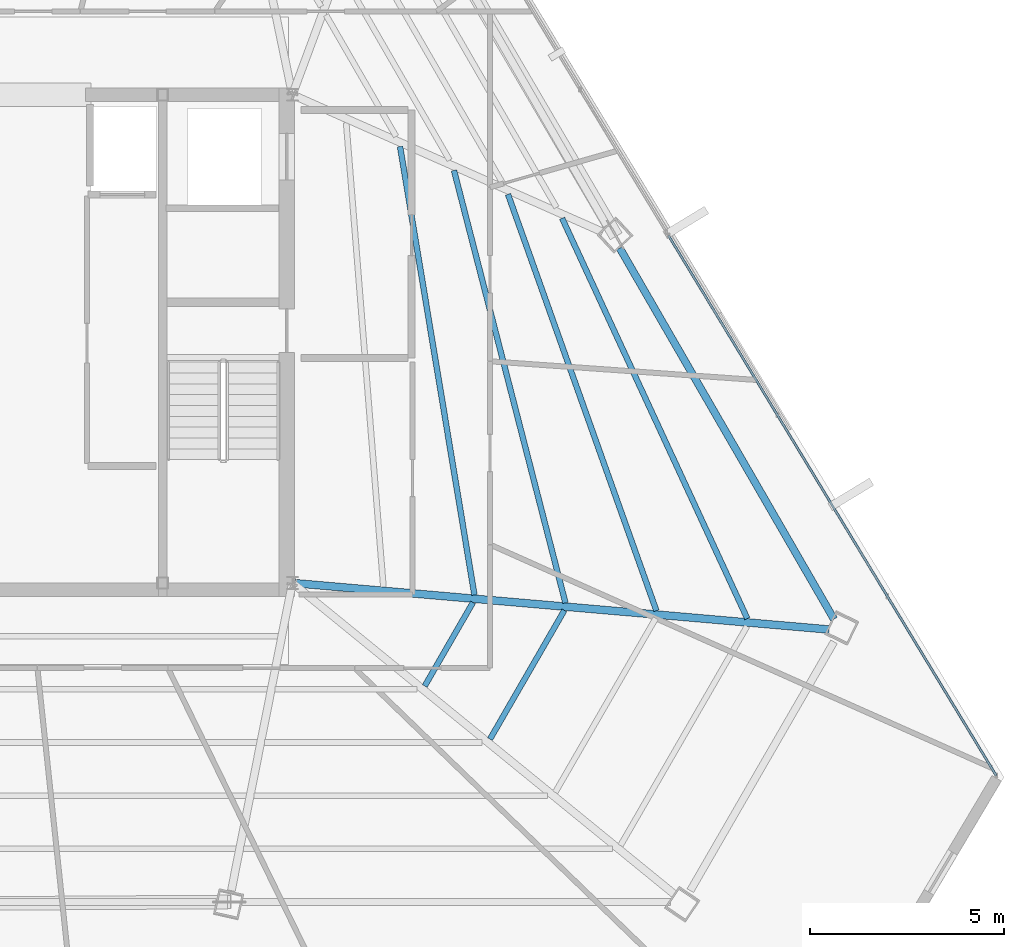
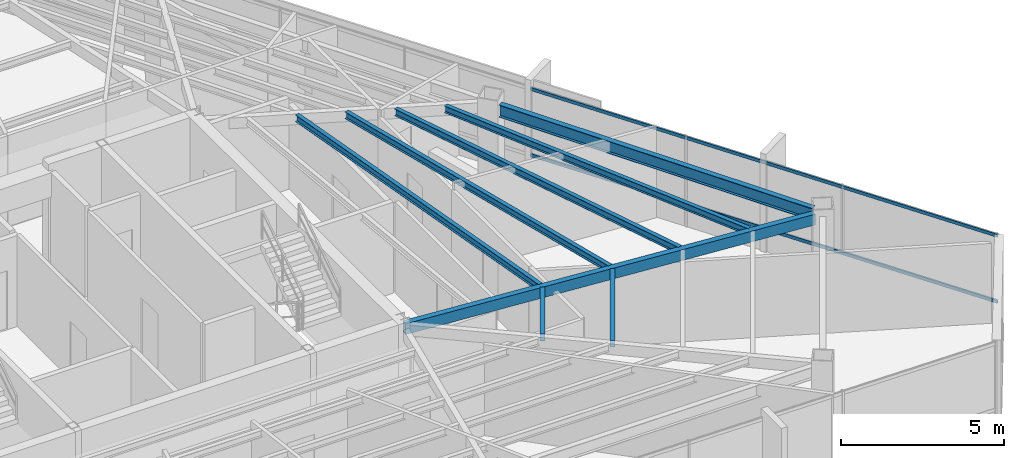
# One storey, part 22 of 42: 8 beams, 2 members, 1 element without a shape of its own.
"""IFC4 building model written with IfcOpenShell, lengths in metres."""

from ifc_helpers import new_model, si_unit, direction, frame, origin, origin_2d, place, context, subcontext, project, spatial, hollow_rectangle, i_section, extrude, source, transform, mapped, material, material_profile, profile_set, type_object, type_shapes, element, aggregate, save


model = new_model("IFC4")

# Units and contexts
model_context = context("Model", 3, precision=1e-05, world=origin(), true_north=direction((0.0, 1.0)))
body_context = subcontext(model_context, "Body", "Model", "MODEL_VIEW")
ifc_project = project(units=[si_unit("LENGTHUNIT", "METRE"), si_unit("AREAUNIT", "SQUARE_METRE"), si_unit("VOLUMEUNIT", "CUBIC_METRE"), si_unit("PLANEANGLEUNIT", "RADIAN"), si_unit("MASSUNIT", "GRAM", prefix="KILO")], contexts=[model_context])

# Site, building, storey
site_placement = place(None, origin())
site = spatial("IfcSite", under=ifc_project, at=site_placement, CompositionType="ELEMENT")
building_placement = place(site_placement, origin())
building = spatial("IfcBuilding", under=site, at=building_placement, Name="Caelisora Broadcast Tower", CompositionType="ELEMENT")
storey_placement = place(building_placement, frame((0.0, 0.0, 244.449951171875)))
storey = spatial("IfcBuildingStorey", under=building, at=storey_placement, Name="L64", CompositionType="ELEMENT", Elevation=244.449951171875)

# Beams
ifc_material_1 = material(Name="Steel Grade 350 (AS/NZS 3679.1)", Category="steel")
ifc_material_profile_1 = material_profile(ifc_material_1, i_section(OverallWidth=0.19091796875, OverallDepth=0.46044921875, WebThickness=0.010009765625, FlangeThickness=0.01611328125, at=origin_2d()), Name="Steel Grade 350 (AS/NZS 3679.1)")
ifc_profile_set_1 = profile_set([ifc_material_profile_1], Name="Steel Grade 350 (AS/NZS 3679.1)")
beam_type_1 = type_object("IfcBeamType", Name="PG06", PredefinedType="BEAM", material=ifc_profile_set_1)
shared_shape_1 = source(origin(), body_context, "Body", "SweptSolid", [
    extrude(i_section(OverallWidth=0.19091796875, OverallDepth=0.46044921875, WebThickness=0.010009765625, FlangeThickness=0.01611328125, at=origin_2d()), origin(), (0.0, 0.0, 1.0), 11.05859375),
])
type_shapes(beam_type_1, [shared_shape_1])
beam_1_placement = place(storey_placement, frame((59.477294921875, 16.465087890625, 3.169921875), z_axis=(-0.499995092988, 0.866028236831, 0.0), x_axis=(-0.866028236831, -0.499995092988, 0.0)))
element("IfcBeam", 1, at=beam_1_placement, inside=storey, type_object=beam_type_1, Name="L64 beam PG06", PredefinedType="BEAM", context=body_context, shape_type="MappedRepresentation", body=[
    mapped(shared_shape_1, transform((0.0, 0.0, 0.0), scale=1.0)),
])
ifc_material_2 = material(Name="Steel Grade 350 (AS/NZS 1163 C350L0)", Category="steel")
ifc_material_profile_2 = material_profile(ifc_material_2, hollow_rectangle(XDim=0.199951171875, YDim=0.39990234375, WallThickness=0.012451171875, at=origin_2d()), Name="Steel Grade 350 (AS/NZS 1163 C350L0)")
ifc_profile_set_2 = profile_set([ifc_material_profile_2], Name="Steel Grade 350 (AS/NZS 1163 C350L0)")
beam_type_2 = type_object("IfcBeamType", Name="PG07", PredefinedType="BEAM", material=ifc_profile_set_2)
shared_shape_2 = source(origin(), body_context, "Body", "SweptSolid", [
    extrude(hollow_rectangle(XDim=0.199951171875, YDim=0.39990234375, WallThickness=0.012451171875, at=origin_2d()), origin(), (0.0, 0.0, 1.0), 13.84130859375),
])
type_shapes(beam_type_2, [shared_shape_2])
beam_2_placement = place(storey_placement, frame((45.559814453125, 17.394775390625, 3.199951171875), z_axis=(0.996256522052, -0.086446181342, 0.0), x_axis=(0.086446181342, 0.996256522052, 0.0)))
element("IfcBeam", 2, at=beam_2_placement, inside=storey, type_object=beam_type_2, Name="L64 beam PG07", PredefinedType="BEAM", context=body_context, shape_type="MappedRepresentation", body=[
    mapped(shared_shape_2, transform((0.0, 0.0, 0.0), scale=1.0)),
])
ifc_material_profile_3 = material_profile(ifc_material_1, i_section(OverallWidth=0.14599609375, OverallDepth=0.256103515625, WebThickness=0.00634765625, FlangeThickness=0.010986328125, at=origin_2d()), Name="Steel Grade 350 (AS/NZS 3679.1)")
ifc_profile_set_3 = profile_set([ifc_material_profile_3], Name="Steel Grade 350 (AS/NZS 3679.1)")
beam_type_3 = type_object("IfcBeamType", Name="SB04", PredefinedType="JOIST", material=ifc_profile_set_3)
shared_shape_3 = source(origin(), body_context, "Body", "SweptSolid", [
    extrude(i_section(OverallWidth=0.14599609375, OverallDepth=0.256103515625, WebThickness=0.00634765625, FlangeThickness=0.010986328125, at=origin_2d()), origin(), (0.0, 0.0, 1.0), 11.73193359375),
])
beam_3_placement = place(storey_placement, frame((50.198974609375, 17.089599609375, 3.27197265625), z_axis=(-0.163670032735, 0.98651513946, 0.0), x_axis=(-0.98651513946, -0.163670032735, 0.0)))
element("IfcBeam", 3, at=beam_3_placement, inside=storey, type_object=beam_type_3, Name="L64 beam SB04", PredefinedType="JOIST", context=body_context, shape_type="MappedRepresentation", body=[
    mapped(shared_shape_3, transform((0.0, 0.0, 0.0), scale=1.0)),
])
shared_shape_4 = source(origin(), body_context, "Body", "SweptSolid", [
    extrude(i_section(OverallWidth=0.14599609375, OverallDepth=0.256103515625, WebThickness=0.00634765625, FlangeThickness=0.010986328125, at=origin_2d()), origin(), (0.0, 0.0, 1.0), 11.525634765625),
])
beam_4_placement = place(storey_placement, frame((52.54736328125, 16.885986328125, 3.27197265625), z_axis=(-0.249591643372, 0.968351181937, 0.0), x_axis=(-0.968351181937, -0.249591643372, 0.0)))
element("IfcBeam", 4, at=beam_4_placement, inside=storey, type_object=beam_type_3, Name="L64 beam SB04", PredefinedType="JOIST", context=body_context, shape_type="MappedRepresentation", body=[
    mapped(shared_shape_4, transform((0.0, 0.0, 0.0), scale=1.0)),
])
shared_shape_5 = source(origin(), body_context, "Body", "SweptSolid", [
    extrude(i_section(OverallWidth=0.14599609375, OverallDepth=0.256103515625, WebThickness=0.00634765625, FlangeThickness=0.010986328125, at=origin_2d()), origin(), (0.0, 0.0, 1.0), 11.409423828125),
])
beam_5_placement = place(storey_placement, frame((54.89501953125, 16.682373046875, 3.27197265625), z_axis=(-0.335714133903, 0.941963916664, 0.0), x_axis=(-0.941963916664, -0.335714133903, 0.0)))
element("IfcBeam", 5, at=beam_5_placement, inside=storey, type_object=beam_type_3, Name="L64 beam SB04", PredefinedType="JOIST", context=body_context, shape_type="MappedRepresentation", body=[
    mapped(shared_shape_5, transform((0.0, 0.0, 0.0), scale=1.0)),
])
shared_shape_6 = source(origin(), body_context, "Body", "SweptSolid", [
    extrude(i_section(OverallWidth=0.14599609375, OverallDepth=0.256103515625, WebThickness=0.00634765625, FlangeThickness=0.010986328125, at=origin_2d()), origin(), (0.0, 0.0, 1.0), 11.384521484375),
])
beam_6_placement = place(storey_placement, frame((57.241455078125, 16.478759765625, 3.27197265625), z_axis=(-0.419875330857, 0.90758179055, 0.0), x_axis=(-0.90758179055, -0.419875330857, 0.0)))
element("IfcBeam", 6, at=beam_6_placement, inside=storey, type_object=beam_type_3, Name="L64 beam SB04", PredefinedType="JOIST", context=body_context, shape_type="MappedRepresentation", body=[
    mapped(shared_shape_6, transform((0.0, 0.0, 0.0), scale=1.0)),
])
shared_shape_7 = source(origin(), body_context, "Body", "SweptSolid", [
    extrude(i_section(OverallWidth=0.14599609375, OverallDepth=0.256103515625, WebThickness=0.00634765625, FlangeThickness=0.010986328125, at=origin_2d()), origin(), (0.0, 0.0, 1.0), 2.490234375),
])
beam_7_placement = place(storey_placement, frame((48.91650390625, 14.740966796875, 3.27197265625), z_axis=(0.499977039259, 0.866038659768, 0.0), x_axis=(-0.866038659768, 0.499977039259, 0.0)))
element("IfcBeam", 7, at=beam_7_placement, inside=storey, type_object=beam_type_3, Name="L64 beam SB04", PredefinedType="JOIST", context=body_context, shape_type="MappedRepresentation", body=[
    mapped(shared_shape_7, transform((0.0, 0.0, 0.0), scale=1.0)),
])
shared_shape_8 = source(origin(), body_context, "Body", "SweptSolid", [
    extrude(i_section(OverallWidth=0.14599609375, OverallDepth=0.256103515625, WebThickness=0.00634765625, FlangeThickness=0.010986328125, at=origin_2d()), origin(), (0.0, 0.0, 1.0), 3.838623046875),
])
type_shapes(beam_type_3, [shared_shape_3, shared_shape_4, shared_shape_5, shared_shape_6, shared_shape_7, shared_shape_8])
beam_8_placement = place(storey_placement, frame((50.60009765625, 13.368896484375, 3.27197265625), z_axis=(0.500038100297, 0.86600340545, 0.0), x_axis=(-0.86600340545, 0.500038100297, 0.0)))
element("IfcBeam", 8, at=beam_8_placement, inside=storey, type_object=beam_type_3, Name="L64 beam SB04", PredefinedType="JOIST", context=body_context, shape_type="MappedRepresentation", body=[
    mapped(shared_shape_8, transform((0.0, 0.0, 0.0), scale=1.0)),
])

# Curtain wall, members
ifc_material_3 = material(Name="Unitised Aluminium and Low-E Glass Curtain Wall", Category="glass")
curtain_wall_type = type_object("IfcCurtainWallType", Name="CW-Z5", PredefinedType="NOTDEFINED", material=ifc_material_3)
curtain_wall_placement = place(storey_placement, origin())
curtain_wall = element("IfcCurtainWall", 9, at=curtain_wall_placement, inside=storey, type_object=curtain_wall_type, Name="L64 curtain wall CW-Z5", PredefinedType="NOTDEFINED")
ifc_material_4 = material(Name="Aluminium 6063-T6 Anodised Terracotta Bronze", Category="aluminium")
ifc_material_profile_4 = material_profile(ifc_material_4, hollow_rectangle(XDim=0.06005859375, YDim=0.1201171875, WallThickness=0.0029296875, at=origin_2d()), Name="Aluminium 6063-T6 Anodised Terracotta Bronze")
ifc_profile_set_4 = profile_set([ifc_material_profile_4], Name="Aluminium 6063-T6 Anodised Terracotta Bronze")
member_type = type_object("IfcMemberType", Name="CWT-03", PredefinedType="USERDEFINED", material=ifc_profile_set_4)
shared_shape_9 = source(origin(), body_context, "Body", "SweptSolid", [
    extrude(hollow_rectangle(XDim=0.06005859375, YDim=0.1201171875, WallThickness=0.0029296875, at=origin_2d()), origin(), (0.0, 0.0, 1.0), 16.30322265625),
])
type_shapes(member_type, [shared_shape_9])
member_1_placement = place(storey_placement, frame((55.20703125, 26.364990234375, 0.85009765625), z_axis=(0.518733098343, -0.854936238958, 0.0), x_axis=(0.854936238958, 0.518733098343, 0.0)))
member_1 = element("IfcMember", 10, at=member_1_placement, type_object=member_type, Name="L64-CW-B03 transom #1", ObjectType="TRANSOM", PredefinedType="USERDEFINED", context=body_context, shape_type="MappedRepresentation", body=[
    mapped(shared_shape_9, transform((0.0, 0.0, 0.0), scale=1.0)),
])
member_2_placement = place(storey_placement, frame((55.20703125, 26.364990234375, 3.320068359375), z_axis=(0.518733098343, -0.854936238958, 0.0), x_axis=(0.854936238958, 0.518733098343, 0.0)))
member_2 = element("IfcMember", 11, at=member_2_placement, type_object=member_type, Name="L64-CW-B03 transom #2", ObjectType="TRANSOM", PredefinedType="USERDEFINED", context=body_context, shape_type="MappedRepresentation", body=[
    mapped(shared_shape_9, transform((0.0, 0.0, 0.0), scale=1.0)),
])
aggregate(curtain_wall, [member_1, member_2])

save(model, "model.ifc")
